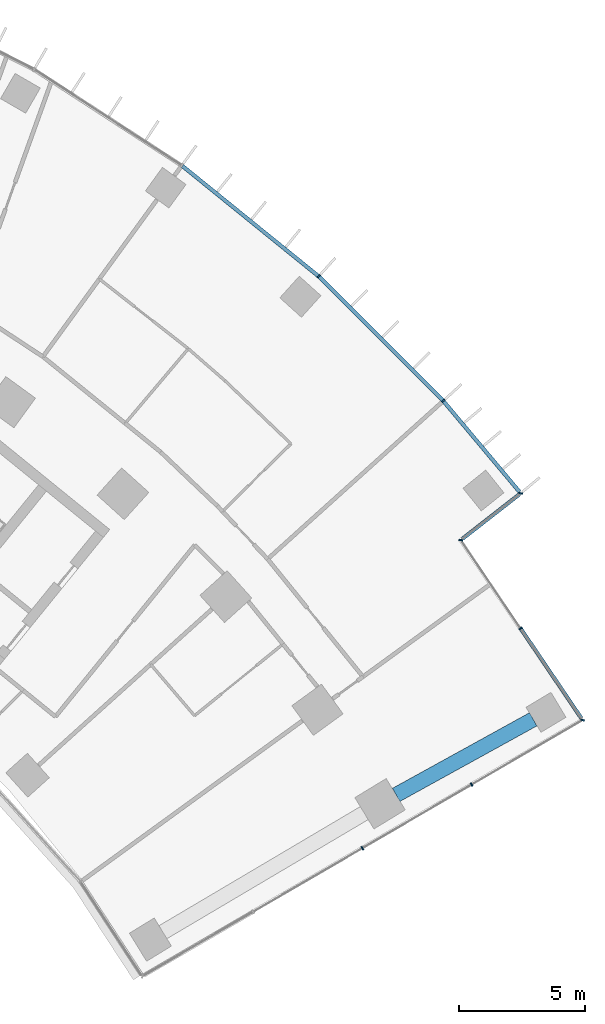
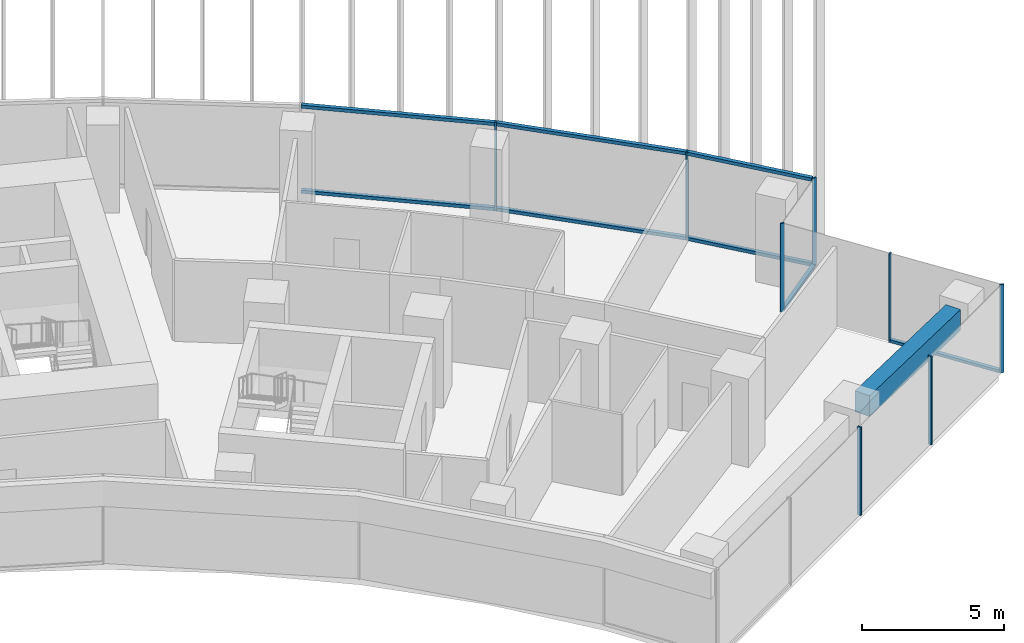
# One storey, part 11 of 23: 16 members, 1 beam, 4 elements without a shape of their own.
"""IFC4 building model written with IfcOpenShell, lengths in metres."""

import ifcopenshell
import ifcopenshell.guid

model = None  # the IFC model being written
_history = None  # IfcOwnerHistory: only IFC2X3 demands one
_inside = {}  # id of a spatial element -> (the spatial element, [elements in it])
_under = {}  # id of a project, library or spatial element -> (it, [spatial elements below it])
_declared = {}  # id of a project -> (the project, [libraries it declares])
_typed = {}  # id of a type object -> (the type object, [elements of that type])
_made_of = {}  # id of a material, layer set ... -> (it, [elements and type objects made of it])


def new_model(schema):
    """Start an empty IFC model of exactly this schema.

    Asked for "IFC4X3", IfcOpenShell would pick the latest addendum, in which some entities
    have other attributes; the version numbers below select the first issue.
    IFC2X3 requires an IfcOwnerHistory on every rooted entity: one is made here for all.
    """
    global model, _history
    if schema == "IFC4X3":
        model = ifcopenshell.file(schema_version=(4, 3, 0, 0))
    else:
        model = ifcopenshell.file(schema=schema)
    _inside.clear()
    _under.clear()
    _declared.clear()
    _typed.clear()
    _made_of.clear()
    _history = None
    if model.schema == "IFC2X3":
        org = make("IfcOrganization", Name="unknown")
        user = make(
            "IfcPersonAndOrganization",
            ThePerson=make("IfcPerson", FamilyName="unknown"),
            TheOrganization=org,
        )
        app = make(
            "IfcApplication",
            ApplicationDeveloper=org,
            Version="unknown",
            ApplicationFullName="unknown",
            ApplicationIdentifier="unknown",
        )
        _history = make(
            "IfcOwnerHistory",
            OwningUser=user,
            OwningApplication=app,
            ChangeAction="ADDED",
            CreationDate=0,
        )
    return model


def make(cls, **values):
    """One entity of the class cls with the attributes given. An attribute that is None is left unset."""
    return model.create_entity(
        cls, **{name: value for name, value in values.items() if value is not None}
    )


def rooted(cls, **values):
    """An entity with a GlobalId (a new one), such as an element, a storey or a relation."""
    return make(cls, GlobalId=ifcopenshell.guid.new(), OwnerHistory=_history, **values)


def si_unit(unit_type, name, prefix=None):
    """IfcSIUnit, for example si_unit("LENGTHUNIT", "METRE", prefix="MILLI")."""
    return make("IfcSIUnit", UnitType=unit_type, Prefix=prefix, Name=name)


def assignment(units):
    """IfcUnitAssignment: the units of a project."""
    return None if units is None else make("IfcUnitAssignment", Units=units)


def point(xyz):
    """IfcCartesianPoint."""
    return None if xyz is None else make("IfcCartesianPoint", Coordinates=xyz)


def direction(xyz):
    """IfcDirection."""
    return None if xyz is None else make("IfcDirection", DirectionRatios=xyz)


def frame(location, z_axis=None, x_axis=None):
    """IfcAxis2Placement3D, a coordinate frame: its origin and axes. An axis left out is left unset."""
    return make(
        "IfcAxis2Placement3D",
        Location=point(location),
        Axis=direction(z_axis),
        RefDirection=direction(x_axis),
    )


def frame_2d(location, x_axis=None):
    """IfcAxis2Placement2D, a coordinate frame in the plane: its origin and x axis."""
    return make(
        "IfcAxis2Placement2D", Location=point(location), RefDirection=direction(x_axis)
    )


def origin():
    """The frame at (0, 0, 0) with its axes left unset."""
    return frame((0.0, 0.0, 0.0))


def origin_2d():
    """The frame at (0, 0) in the plane with its x axis left unset."""
    return frame_2d((0.0, 0.0))


def place(relative_to, where):
    """IfcLocalPlacement: puts the frame where relative to a parent placement (None: the world)."""
    return make(
        "IfcLocalPlacement", PlacementRelTo=relative_to, RelativePlacement=where
    )


def context(
    kind, dimensions, precision=None, world=None, true_north=None, identifier=None
):
    """IfcGeometricRepresentationContext, for example the 3D "Model" context."""
    return make(
        "IfcGeometricRepresentationContext",
        ContextIdentifier=identifier,
        ContextType=kind,
        CoordinateSpaceDimension=dimensions,
        Precision=precision,
        WorldCoordinateSystem=world,
        TrueNorth=true_north,
    )


def subcontext(parent, identifier, kind, view, scale=None):
    """IfcGeometricRepresentationSubContext, for example "Body" below "Model"."""
    return make(
        "IfcGeometricRepresentationSubContext",
        ContextIdentifier=identifier,
        ContextType=kind,
        ParentContext=parent,
        TargetScale=scale,
        TargetView=view,
    )


def project(units=None, contexts=None):
    """IfcProject with its units and contexts."""
    return rooted(
        "IfcProject",
        Name="project",
        RepresentationContexts=contexts,
        UnitsInContext=assignment(units),
    )


def spatial(cls, under=None, at=None, **own):
    """A site, building, storey or space (cls), placed at a placement, below another one or the project."""
    s = rooted(cls, ObjectPlacement=at, **own)
    if under is not None:
        _under.setdefault(under.id(), (under, []))[1].append(s)
    return s


def profile(cls, at=None, kind="AREA", **sizes):
    """A parametric profile (cls). Its sizes go by their IFC names, for example OverallWidth=200.0."""
    return make(cls, ProfileType=kind, Position=at, **sizes)


def rectangle(**sizes):
    """IfcRectangleProfileDef."""
    return profile("IfcRectangleProfileDef", **sizes)


def extrude(swept, where, along, depth):
    """IfcExtrudedAreaSolid: the profile swept, set in the frame where, extruded along a direction by depth."""
    return make(
        "IfcExtrudedAreaSolid",
        SweptArea=swept,
        Position=where,
        ExtrudedDirection=direction(along),
        Depth=depth,
    )


def shape(context_of_items, identifier, shape_type, items):
    """IfcShapeRepresentation: the items that make up one representation, for example the "Body"."""
    return make(
        "IfcShapeRepresentation",
        ContextOfItems=context_of_items,
        RepresentationIdentifier=identifier,
        RepresentationType=shape_type,
        Items=items,
    )


def material(Name=None, Category=None):
    """IfcMaterial."""
    return make("IfcMaterial", Name=Name, Category=Category)


def layer(
    of_material, thickness, ventilated=None, Name=None, Category=None, Priority=None
):
    """IfcMaterialLayer: one layer of a wall or slab, of a material (None: an air gap)."""
    return make(
        "IfcMaterialLayer",
        Material=of_material,
        LayerThickness=thickness,
        IsVentilated=ventilated,
        Name=Name,
        Category=Category,
        Priority=Priority,
    )


def layer_set(layers, Name=None):
    """IfcMaterialLayerSet."""
    return make("IfcMaterialLayerSet", MaterialLayers=layers, LayerSetName=Name)


def material_profile(
    of_material, cross_section, Name=None, Category=None, Priority=None
):
    """IfcMaterialProfile: a cross section and its material."""
    return make(
        "IfcMaterialProfile",
        Name=Name,
        Material=of_material,
        Profile=cross_section,
        Priority=Priority,
        Category=Category,
    )


def profile_set(profiles, Name=None, composite=None):
    """IfcMaterialProfileSet."""
    return make(
        "IfcMaterialProfileSet",
        Name=Name,
        MaterialProfiles=profiles,
        CompositeProfile=composite,
    )


def made_of(thing, what):
    """Note that an element or type object is made of a material, layer set ...; save() writes the relation."""
    if what is not None:
        _made_of.setdefault(what.id(), (what, []))[1].append(thing)
    return thing


def type_object(cls, material=None, **own):
    """A type object (cls), such as IfcWallType, which elements share."""
    return made_of(rooted(cls, **own), material)


def element(
    cls,
    number,
    at=None,
    inside=None,
    cuts=None,
    type_object=None,
    material=None,
    context=None,
    identifier="Body",
    shape_type=None,
    held_by="IfcProductDefinitionShape",
    body=None,
    shapes=None,
    **own,
):
    """One element of the class cls, such as IfcWall. Its Tag is "e" and its number.

    at: its placement. inside: the storey or other place that contains it. cuts: it is an
    opening in that element (IfcRelVoidsElement). A single representation is given by context,
    identifier, shape_type and body (its items); several are given by shapes. held_by: the class
    of the entity that holds the representations. save() writes the other relations.
    """
    e = rooted(cls, Tag="e%d" % number, ObjectPlacement=at, **own)
    if body is not None:
        shapes = [shape(context, identifier, shape_type, body)]
    if shapes is not None:
        e.Representation = make(held_by, Representations=shapes)
    if inside is not None:
        _inside.setdefault(inside.id(), (inside, []))[1].append(e)
    if cuts is not None:
        rooted(
            "IfcRelVoidsElement", RelatingBuildingElement=cuts, RelatedOpeningElement=e
        )
    if type_object is not None:
        _typed.setdefault(type_object.id(), (type_object, []))[1].append(e)
    return made_of(e, material)


def aggregate(whole, parts):
    """IfcRelAggregates: a whole, such as a stair, and the parts it consists of."""
    return rooted("IfcRelAggregates", RelatingObject=whole, RelatedObjects=parts)


def save(model, path):
    """Write the relations noted so far, then the file.

    IfcRelAggregates (storeys below a building ...), IfcRelContainedInSpatialStructure (elements
    in a storey), IfcRelDefinesByType, IfcRelAssociatesMaterial and IfcRelDeclares: one each for
    every whole, place, type object, material and project.
    """
    for whole, parts in _under.values():
        aggregate(whole, parts)
    for where, things in _inside.values():
        rooted(
            "IfcRelContainedInSpatialStructure",
            RelatedElements=things,
            RelatingStructure=where,
        )
    for kind, things in _typed.values():
        rooted("IfcRelDefinesByType", RelatedObjects=things, RelatingType=kind)
    for what, things in _made_of.values():
        rooted("IfcRelAssociatesMaterial", RelatedObjects=things, RelatingMaterial=what)
    for by, libraries in _declared.values():
        rooted("IfcRelDeclares", RelatingContext=by, RelatedDefinitions=libraries)
    model.write(path)


model = new_model("IFC4")

# Units and contexts
model_context = context("Model", 3, precision=1e-05, world=origin(), true_north=direction((0.0, 1.0)))
body_context = subcontext(model_context, "Body", "Model", "MODEL_VIEW")
ifc_project = project(units=[si_unit("LENGTHUNIT", "METRE"), si_unit("AREAUNIT", "SQUARE_METRE"), si_unit("VOLUMEUNIT", "CUBIC_METRE"), si_unit("PLANEANGLEUNIT", "RADIAN"), si_unit("MASSUNIT", "GRAM", prefix="KILO")], contexts=[model_context])

# Site, building, storey
site_placement = place(None, origin())
site = spatial("IfcSite", under=ifc_project, at=site_placement, CompositionType="ELEMENT")
building_placement = place(site_placement, origin())
building = spatial("IfcBuilding", under=site, at=building_placement, Name="Stone Belt Terrace Tower", CompositionType="ELEMENT")
storey_placement = place(building_placement, frame((0.0, 0.0, 98.39990234375)))
storey = spatial("IfcBuildingStorey", under=building, at=storey_placement, Name="L23", CompositionType="ELEMENT", Elevation=98.39990234375)

# Curtain wall, members
ifc_material_1 = material(Name="Aluminium 6063-T6 anodised frame", Category="aluminium")
ifc_layer_1 = layer(ifc_material_1, 0.14990234375)
ifc_layer_set_1 = layer_set([ifc_layer_1], Name="CW-A unitised convex-face curtain wall")
curtain_wall_type_1 = type_object("IfcCurtainWallType", Name="CW-A unitised convex-face curtain wall", PredefinedType="NOTDEFINED", material=ifc_layer_set_1)
curtain_wall_1_placement = place(storey_placement, origin())
curtain_wall_1 = element("IfcCurtainWall", 1, at=curtain_wall_1_placement, inside=storey, type_object=curtain_wall_type_1, Name="CW-A convex face L23", PredefinedType="NOTDEFINED")
ifc_material_profile_1 = material_profile(ifc_material_1, rectangle(XDim=0.14990234375, YDim=0.06005859375, at=origin_2d()), Name="Aluminium 6063-T6 60x150")
ifc_profile_set_1 = profile_set([ifc_material_profile_1], Name="Aluminium 6063-T6 anodised frame")
member_type_1 = type_object("IfcMemberType", Name="CW-A mullion 60 x 150", PredefinedType="MULLION", material=ifc_profile_set_1)
member_1_placement = place(storey_placement, frame((52.539794921875, 40.89208984375, 0.0), z_axis=(0.0, 0.0, 1.0), x_axis=(-0.994464768622, 0.105070566623, 0.0)))
member_1 = element("IfcMember", 2, at=member_1_placement, type_object=member_type_1, Name="CW-A mullion 1", PredefinedType="MULLION", context=body_context, shape_type="SweptSolid", body=[
    extrude(rectangle(XDim=0.14990234375, YDim=0.06005859375, at=origin_2d()), origin(), (0.0, 0.0, 1.0), 3.800048828125),
])
member_2_placement = place(storey_placement, frame((49.474609375, 44.5478515625, 0.0), z_axis=(0.0, 0.0, 1.0), x_axis=(-0.737400080522, -0.675456231925, 0.0)))
member_2 = element("IfcMember", 3, at=member_2_placement, type_object=member_type_1, Name="CW-A mullion 2", PredefinedType="MULLION", context=body_context, shape_type="SweptSolid", body=[
    extrude(rectangle(XDim=0.14990234375, YDim=0.06005859375, at=origin_2d()), origin(), (0.0, 0.0, 1.0), 3.800048828125),
])
member_3_placement = place(storey_placement, frame((44.54736328125, 49.474853515625, 0.0), z_axis=(0.0, 0.0, 1.0), x_axis=(-0.669130606359, -0.743144825477, 0.0)))
member_3 = element("IfcMember", 4, at=member_3_placement, type_object=member_type_1, Name="CW-A mullion 3", PredefinedType="MULLION", context=body_context, shape_type="SweptSolid", body=[
    extrude(rectangle(XDim=0.14990234375, YDim=0.06005859375, at=origin_2d()), origin(), (0.0, 0.0, 1.0), 3.800048828125),
])
ifc_material_profile_2 = material_profile(ifc_material_1, rectangle(XDim=0.14990234375, YDim=0.139892578125, at=origin_2d()), Name="Aluminium 6063-T6 150x140")
ifc_profile_set_2 = profile_set([ifc_material_profile_2], Name="Aluminium 6063-T6 anodised frame")
member_type_2 = type_object("IfcMemberType", Name="CW-A transom 140 x 150", PredefinedType="USERDEFINED", material=ifc_profile_set_2)
member_4_placement = place(storey_placement, frame((52.49169921875, 40.949462890625, 0.070068359375), z_axis=(-0.642504178028, 0.766282181195, 0.0), x_axis=(-0.766282181195, -0.642504178028, 0.0)))
member_4 = element("IfcMember", 5, at=member_4_placement, type_object=member_type_2, Name="CW-A transom 1.1", ObjectType="TRANSOM", PredefinedType="USERDEFINED", context=body_context, shape_type="SweptSolid", body=[
    extrude(rectangle(XDim=0.14990234375, YDim=0.139892578125, at=origin_2d()), origin(), (0.0, 0.0, 1.0), 4.662841796875),
])
member_5_placement = place(storey_placement, frame((52.49169921875, 40.949462890625, 3.72998046875), z_axis=(-0.642504178028, 0.766282181195, 0.0), x_axis=(-0.766282181195, -0.642504178028, 0.0)))
member_5 = element("IfcMember", 6, at=member_5_placement, type_object=member_type_2, Name="CW-A transom 1.2", ObjectType="TRANSOM", PredefinedType="USERDEFINED", context=body_context, shape_type="SweptSolid", body=[
    extrude(rectangle(XDim=0.14990234375, YDim=0.139892578125, at=origin_2d()), origin(), (0.0, 0.0, 1.0), 4.662841796875),
])
member_6_placement = place(storey_placement, frame((49.450927734375, 44.5712890625, 0.070068359375), z_axis=(-0.707106781187, 0.707106781187, 0.0), x_axis=(-0.707106781187, -0.707106781187, 0.0)))
member_6 = element("IfcMember", 7, at=member_6_placement, type_object=member_type_2, Name="CW-A transom 2.1", ObjectType="TRANSOM", PredefinedType="USERDEFINED", context=body_context, shape_type="SweptSolid", body=[
    extrude(rectangle(XDim=0.14990234375, YDim=0.139892578125, at=origin_2d()), origin(), (0.0, 0.0, 1.0), 6.90087890625),
])
member_7_placement = place(storey_placement, frame((49.450927734375, 44.5712890625, 3.72998046875), z_axis=(-0.707106781187, 0.707106781187, 0.0), x_axis=(-0.707106781187, -0.707106781187, 0.0)))
member_7 = element("IfcMember", 8, at=member_7_placement, type_object=member_type_2, Name="CW-A transom 2.2", ObjectType="TRANSOM", PredefinedType="USERDEFINED", context=body_context, shape_type="SweptSolid", body=[
    extrude(rectangle(XDim=0.14990234375, YDim=0.139892578125, at=origin_2d()), origin(), (0.0, 0.0, 1.0), 6.90087890625),
])
member_8_placement = place(storey_placement, frame((44.52099609375, 49.496337890625, 0.070068359375), z_axis=(-0.777141048626, 0.629326457842, 0.0), x_axis=(-0.629326457842, -0.777141048626, 0.0)))
member_8 = element("IfcMember", 9, at=member_8_placement, type_object=member_type_2, Name="CW-A transom 3.1", ObjectType="TRANSOM", PredefinedType="USERDEFINED", context=body_context, shape_type="SweptSolid", body=[
    extrude(rectangle(XDim=0.14990234375, YDim=0.139892578125, at=origin_2d()), origin(), (0.0, 0.0, 1.0), 6.900634765625),
])
member_9_placement = place(storey_placement, frame((44.52099609375, 49.496337890625, 3.72998046875), z_axis=(-0.777141048626, 0.629326457842, 0.0), x_axis=(-0.629326457842, -0.777141048626, 0.0)))
member_9 = element("IfcMember", 10, at=member_9_placement, type_object=member_type_2, Name="CW-A transom 3.2", ObjectType="TRANSOM", PredefinedType="USERDEFINED", context=body_context, shape_type="SweptSolid", body=[
    extrude(rectangle(XDim=0.14990234375, YDim=0.139892578125, at=origin_2d()), origin(), (0.0, 0.0, 1.0), 6.900634765625),
])
aggregate(curtain_wall_1, [member_1, member_2, member_3, member_4, member_5, member_6, member_7, member_8, member_9])

ifc_layer_2 = layer(ifc_material_1, 0.14990234375)
ifc_layer_set_2 = layer_set([ifc_layer_2], Name="CW-C stick curtain wall, horn ends and notches")
curtain_wall_type_2 = type_object("IfcCurtainWallType", Name="CW-C stick curtain wall, horn ends and notches", PredefinedType="NOTDEFINED", material=ifc_layer_set_2)
curtain_wall_2_placement = place(storey_placement, origin())
curtain_wall_2 = element("IfcCurtainWall", 11, at=curtain_wall_2_placement, inside=storey, type_object=curtain_wall_type_2, Name="CW-C end face L23", PredefinedType="NOTDEFINED")
ifc_material_profile_3 = material_profile(ifc_material_1, rectangle(XDim=0.14990234375, YDim=0.06005859375, at=origin_2d()), Name="Aluminium 6063-T6 60x150")
ifc_profile_set_3 = profile_set([ifc_material_profile_3], Name="Aluminium 6063-T6 anodised frame")
member_type_3 = type_object("IfcMemberType", Name="CW-C mullion 60 x 150", PredefinedType="MULLION", material=ifc_profile_set_3)
member_10_placement = place(storey_placement, frame((46.2744140625, 26.85009765625, 0.0), z_axis=(0.0, 0.0, 1.0), x_axis=(-0.503080901861, 0.864239322284, 0.0)))
member_10 = element("IfcMember", 12, at=member_10_placement, type_object=member_type_3, Name="CW-C mullion 3", PredefinedType="MULLION", context=body_context, shape_type="SweptSolid", body=[
    extrude(rectangle(XDim=0.14990234375, YDim=0.06005859375, at=origin_2d()), origin(), (0.0, 0.0, 1.0), 3.800048828125),
])
member_11_placement = place(storey_placement, frame((50.595703125, 29.365478515625, 0.0), z_axis=(0.0, 0.0, 1.0), x_axis=(-0.503080901861, 0.864239322284, 0.0)))
member_11 = element("IfcMember", 13, at=member_11_placement, type_object=member_type_3, Name="CW-C mullion 4", PredefinedType="MULLION", context=body_context, shape_type="SweptSolid", body=[
    extrude(rectangle(XDim=0.14990234375, YDim=0.06005859375, at=origin_2d()), origin(), (0.0, 0.0, 1.0), 3.800048828125),
])
aggregate(curtain_wall_2, [member_10, member_11])

curtain_wall_3_placement = place(storey_placement, origin())
curtain_wall_3 = element("IfcCurtainWall", 14, at=curtain_wall_3_placement, inside=storey, type_object=curtain_wall_type_2, Name="CW-C notch face L23", PredefinedType="NOTDEFINED")
member_12_placement = place(storey_placement, frame((54.986328125, 31.921142578125, 0.0), z_axis=(0.0, 0.0, 1.0), x_axis=(-0.974926991266, 0.222524968715, 0.0)))
member_12 = element("IfcMember", 15, at=member_12_placement, type_object=member_type_3, Name="CW-C mullion 1", PredefinedType="MULLION", context=body_context, shape_type="SweptSolid", body=[
    extrude(rectangle(XDim=0.14990234375, YDim=0.06005859375, at=origin_2d()), origin(), (0.0, 0.0, 1.0), 3.800048828125),
])
member_13_placement = place(storey_placement, frame((52.53515625, 35.5439453125, 0.0), z_axis=(0.0, 0.0, 1.0), x_axis=(-0.828244257471, -0.560367245622, 0.0)))
member_13 = element("IfcMember", 16, at=member_13_placement, type_object=member_type_3, Name="CW-C mullion 2", PredefinedType="MULLION", context=body_context, shape_type="SweptSolid", body=[
    extrude(rectangle(XDim=0.14990234375, YDim=0.06005859375, at=origin_2d()), origin(), (0.0, 0.0, 1.0), 3.800048828125),
])

# Curtain wall, member
curtain_wall_4_placement = place(storey_placement, origin())
curtain_wall_4 = element("IfcCurtainWall", 17, at=curtain_wall_4_placement, inside=storey, type_object=curtain_wall_type_2, Name="CW-C notch face L23", PredefinedType="NOTDEFINED")
member_14_placement = place(storey_placement, frame((50.16845703125, 39.0419921875, 0.0), z_axis=(0.0, 0.0, 1.0), x_axis=(-0.987742281651, 0.156093513764, 0.0)))
member_14 = element("IfcMember", 18, at=member_14_placement, type_object=member_type_3, Name="CW-C mullion 1", PredefinedType="MULLION", context=body_context, shape_type="SweptSolid", body=[
    extrude(rectangle(XDim=0.14990234375, YDim=0.06005859375, at=origin_2d()), origin(), (0.0, 0.0, 1.0), 3.800048828125),
])

# Member
ifc_material_profile_4 = material_profile(ifc_material_1, rectangle(XDim=0.14990234375, YDim=0.1201171875, at=origin_2d()), Name="Aluminium 6063-T6 150x120")
ifc_profile_set_4 = profile_set([ifc_material_profile_4], Name="Aluminium 6063-T6 anodised frame")
member_type_4 = type_object("IfcMemberType", Name="CW-C transom 120 x 150", PredefinedType="USERDEFINED", material=ifc_profile_set_4)
member_15_placement = place(storey_placement, frame((54.944091796875, 31.983642578125, 0.06005859375), z_axis=(-0.560388995766, 0.828229541507, 0.0), x_axis=(-0.828229541507, -0.560388995766, 0.0)))
member_15 = element("IfcMember", 19, at=member_15_placement, type_object=member_type_4, Name="CW-C transom 1.1", ObjectType="TRANSOM", PredefinedType="USERDEFINED", context=body_context, shape_type="SweptSolid", body=[
    extrude(rectangle(XDim=0.14990234375, YDim=0.1201171875, at=origin_2d()), origin(), (0.0, 0.0, 1.0), 4.2685546875),
])

aggregate(curtain_wall_3, [member_12, member_13, member_15])

member_16_placement = place(storey_placement, frame((50.22607421875, 39.087158203125, 0.06005859375), z_axis=(0.788505618167, 0.615027552325, 0.0), x_axis=(-0.615027552325, 0.788505618167, 0.0)))
member_16 = element("IfcMember", 20, at=member_16_placement, type_object=member_type_4, Name="CW-C transom 1.1", ObjectType="TRANSOM", PredefinedType="USERDEFINED", context=body_context, shape_type="SweptSolid", body=[
    extrude(rectangle(XDim=0.14990234375, YDim=0.1201171875, at=origin_2d()), origin(), (0.0, 0.0, 1.0), 2.859619140625),
])

aggregate(curtain_wall_4, [member_14, member_16])

# Beam
ifc_material_2 = material(Name="Concrete B60", Category="concrete")
ifc_material_profile_5 = material_profile(ifc_material_2, rectangle(XDim=0.60009765625, YDim=0.89990234375, at=origin_2d()), Name="RC 600x900")
ifc_profile_set_5 = profile_set([ifc_material_profile_5], Name="Concrete B60")
beam_type = type_object("IfcBeamType", Name="Edge beam RC 600x900 B60", PredefinedType="SPANDREL", material=ifc_profile_set_5)
beam_placement = place(storey_placement, frame((47.6083984375, 28.960693359375, 3.030029296875), z_axis=(0.875764462498, 0.482738652094, 0.0), x_axis=(-0.482738652094, 0.875764462498, 0.0)))
element("IfcBeam", 21, at=beam_placement, inside=storey, type_object=beam_type, Name="Edge beam L23 B Q to R", PredefinedType="SPANDREL", context=body_context, shape_type="SweptSolid", body=[
    extrude(rectangle(XDim=0.60009765625, YDim=0.89990234375, at=origin_2d()), origin(), (0.0, 0.0, 1.0), 6.19384765625),
])

save(model, "model.ifc")
